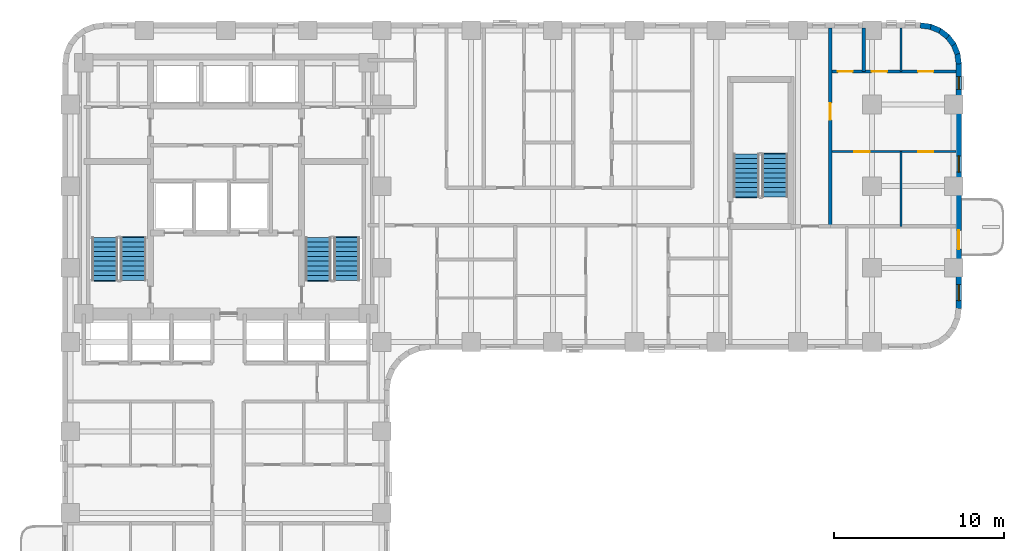
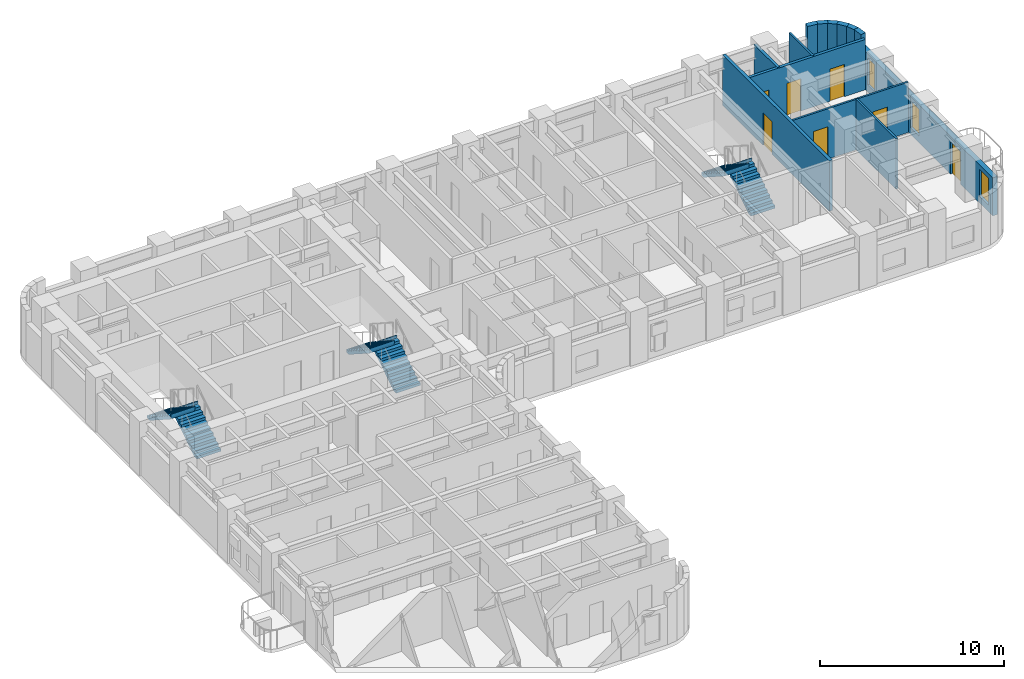
# One storey, part 8 of 10: 13 walls, 7 doors, 6 stair flights, 3 windows, 10 openings, 3 elements without a shape of their own.
"""IFC4 building model written with IfcOpenShell, lengths in metres."""

from ifc_helpers import new_model, si_unit, direction, frame, frame_2d, origin, place, context, subcontext, project, spatial, polyline, rectangle, outline, extrude, material, layer, layer_set, type_object, element, fill, aggregate, save


model = new_model("IFC4")

# Units and contexts
model_context = context("Model", 3, precision=1e-05, world=origin(), true_north=direction((0.0, 1.0)))
body_context = subcontext(model_context, "Body", "Model", "MODEL_VIEW")
ifc_project = project(units=[si_unit("LENGTHUNIT", "METRE"), si_unit("AREAUNIT", "SQUARE_METRE"), si_unit("VOLUMEUNIT", "CUBIC_METRE"), si_unit("PLANEANGLEUNIT", "RADIAN"), si_unit("MASSUNIT", "GRAM", prefix="KILO")], contexts=[model_context])

# Site, building, storey
site_placement = place(None, origin())
site = spatial("IfcSite", under=ifc_project, at=site_placement, CompositionType="ELEMENT")
building_placement = place(site_placement, origin())
building = spatial("IfcBuilding", under=site, at=building_placement, Name="Orvandelia Arch Residences", CompositionType="ELEMENT")
storey_placement = place(building_placement, frame((0.0, 0.0, 32.199951171875)))
storey = spatial("IfcBuildingStorey", under=building, at=storey_placement, Name="L07", CompositionType="ELEMENT", Elevation=32.199951171875)

# Wall, opening, door
ifc_material_1 = material(Name="Fire-Rated Corridor Partition")
ifc_layer_1 = layer(ifc_material_1, 0.199951171875, Name="Fire-Rated Corridor Partition")
ifc_layer_set_1 = layer_set([ifc_layer_1], Name="Fire-Rated Corridor Partition")
wall_type_1 = type_object("IfcWallType", Name="WL-CORR-200", PredefinedType="PARTITIONING", material=ifc_layer_set_1)
wall_1_placement = place(storey_placement, frame((49.89990234375, 36.0400390625, 0.0), z_axis=(0.0, 0.0, 1.0), x_axis=(0.0, 1.0, 0.0)))
wall_1 = element("IfcWall", 1, at=wall_1_placement, inside=storey, type_object=wall_type_1, Name="Interior Partition Wall WL-L07-ETE-E", PredefinedType="PARTITIONING", context=body_context, shape_type="SweptSolid", body=[
    extrude(rectangle(XDim=11.639892578125, YDim=0.199951171875, at=frame_2d((5.81982421875, 0.0))), origin(), (0.0, 0.0, 1.0), 3.35009765625),
])
opening_1_placement = place(wall_1_placement, frame((6.25146484375, 0.0, 0.0)))
opening_1 = element("IfcOpeningElement", 2, at=opening_1_placement, cuts=wall_1, Name="Opening D1", PredefinedType="OPENING", context=body_context, shape_type="SweptSolid", body=[
    extrude(rectangle(XDim=0.97998046875, YDim=2.179931640625, at=frame_2d((0.489990234375, 1.08984375))), frame((0.0, 0.10986328125, 0.0), z_axis=(0.0, -1.0, 0.0), x_axis=(1.0, 0.0, 0.0)), (0.0, 0.0, 1.0), 0.219970703125),
])
ifc_material_2 = material(Name="Solid-Core Timber Acoustic Fire Door", Category="wood")
door_type_1 = type_object("IfcDoorType", Name="DR-ENT-980", OperationType="NOTDEFINED", PredefinedType="DOOR", material=ifc_material_2)
door_1_placement = place(opening_1_placement, origin())
door_1 = element("IfcDoor", 3, at=door_1_placement, inside=storey, type_object=door_type_1, Name="Unit L07-11 Entrance Door", OperationType="SINGLE_SWING_LEFT", OverallHeight=2.179931640625, OverallWidth=0.97998046875, PredefinedType="DOOR", context=body_context, shape_type="SweptSolid", body=[
    extrude(rectangle(XDim=0.97998046875, YDim=2.179931640625, at=frame_2d((0.489990234375, 1.08984375))), frame((0.0, 0.02490234375, 0.0), z_axis=(0.0, -1.0, 0.0), x_axis=(1.0, 0.0, 0.0)), (0.0, 0.0, 1.0), 0.050048828125),
])
fill(opening_1, door_1)

# Walls
ifc_material_3 = material(Name="Precast concrete C40/50", Category="concrete")
ifc_layer_2 = layer(ifc_material_3, 0.320068359375, Name="Precast concrete C40/50", Category="concrete")
ifc_layer_set_2 = layer_set([ifc_layer_2], Name="Precast concrete C40/50")
wall_type_2 = type_object("IfcWallType", Name="WL-EXT-STONE-320", PredefinedType="STANDARD", material=ifc_layer_set_2)
for number, where, z_axis, x_axis, name in (
    (4, (55.17919921875, 47.84130859375, 0.0), (0.0, 0.0, 1.0), (0.9914410257, -0.130555323746, 0.0), "Coral-Limestone Precast Facade Wall L07-008"),
    (5, (55.760009765625, 47.7705078125, 0.0), (0.0, 0.0, 1.0), (0.92389335771, -0.382650053678, 0.0), "Coral-Limestone Precast Facade Wall L07-009"),
):
    element("IfcWall", number, at=place(storey_placement, frame(where, z_axis=z_axis, x_axis=x_axis)), inside=storey, type_object=wall_type_2, Name=name, PredefinedType="STANDARD", context=body_context, shape_type="SweptSolid", body=[
        extrude(rectangle(XDim=0.62646484375, YDim=0.320068359375, at=frame_2d((0.313232421875, 0.0))), origin(), (0.0, 0.0, 1.0), 3.35009765625),
    ])
wall_2_placement = place(storey_placement, frame((56.302490234375, 47.551513671875, 0.0), z_axis=(0.0, 0.0, 1.0), x_axis=(0.793549926411, -0.608505147302, 0.0)))
element("IfcWall", 6, at=wall_2_placement, inside=storey, type_object=wall_type_2, Name="Coral-Limestone Precast Facade Wall L07-010", PredefinedType="STANDARD", context=body_context, shape_type="SweptSolid", body=[
    extrude(rectangle(XDim=0.626708984375, YDim=0.320068359375, at=frame_2d((0.3134765625, 0.0))), origin(), (0.0, 0.0, 1.0), 3.35009765625),
])
for number, where, z_axis, x_axis, name in (
    (7, (56.770263671875, 47.19970703125, 0.0), (0.0, 0.0, 1.0), (0.608693302629, -0.793405610854, 0.0), "Coral-Limestone Precast Facade Wall L07-011"),
    (8, (57.130615234375, 46.73876953125, 0.0), (0.0, 0.0, 1.0), (0.382650053678, -0.92389335771, 0.0), "Coral-Limestone Precast Facade Wall L07-012"),
    (9, (57.359619140625, 46.2001953125, 0.0), (0.0, 0.0, 1.0), (0.130555323746, -0.9914410257, 0.0), "Coral-Limestone Precast Facade Wall L07-013"),
):
    element("IfcWall", number, at=place(storey_placement, frame(where, z_axis=z_axis, x_axis=x_axis)), inside=storey, type_object=wall_type_2, Name=name, PredefinedType="STANDARD", context=body_context, shape_type="SweptSolid", body=[
        extrude(rectangle(XDim=0.62646484375, YDim=0.320068359375, at=frame_2d((0.313232421875, 0.0))), origin(), (0.0, 0.0, 1.0), 3.35009765625),
    ])

# Wall, openings, door, windows
wall_3_placement = place(storey_placement, frame((57.43994140625, 45.60009765625, 0.0), z_axis=(0.0, 0.0, 1.0), x_axis=(0.0, -1.0, 0.0)))
wall_3 = element("IfcWall", 10, at=wall_3_placement, inside=storey, type_object=wall_type_2, Name="Coral-Limestone Precast Facade Wall L07-014", PredefinedType="STANDARD", context=body_context, shape_type="SweptSolid", body=[
    extrude(rectangle(XDim=14.400146484375, YDim=0.320068359375, at=frame_2d((7.2001953125, 0.0))), origin(), (0.0, 0.0, 1.0), 2.530029296875),
])
opening_2_placement = place(wall_3_placement, frame((9.800048828125, 0.0, 0.0)))
opening_2 = element("IfcOpeningElement", 11, at=opening_2_placement, cuts=wall_3, Name="Opening BD1", PredefinedType="OPENING", context=body_context, shape_type="SweptSolid", body=[
    extrude(rectangle(XDim=1.10009765625, YDim=2.14990234375, at=frame_2d((0.550048828125, 1.074951171875))), frame((0.0, 0.169921875, 0.0), z_axis=(0.0, -1.0, 0.0), x_axis=(1.0, 0.0, 0.0)), (0.0, 0.0, 1.0), 0.340087890625),
])
opening_3_placement = place(wall_3_placement, frame((5.427978515625, 0.0, 0.449951171875)))
opening_3 = element("IfcOpeningElement", 12, at=opening_3_placement, cuts=wall_3, Name="Opening W4", PredefinedType="OPENING", context=body_context, shape_type="SweptSolid", body=[
    extrude(rectangle(XDim=0.949951171875, YDim=1.800048828125, at=frame_2d((0.47509765625, 0.89990234375))), frame((0.0, 0.169921875, 0.0), z_axis=(0.0, -1.0, 0.0), x_axis=(1.0, 0.0, 0.0)), (0.0, 0.0, 1.0), 0.340087890625),
])
opening_4_placement = place(wall_3_placement, frame((12.97998046875, 0.0, 0.449951171875)))
opening_4 = element("IfcOpeningElement", 13, at=opening_4_placement, cuts=wall_3, Name="Opening W4", PredefinedType="OPENING", context=body_context, shape_type="SweptSolid", body=[
    extrude(rectangle(XDim=0.949951171875, YDim=1.800048828125, at=frame_2d((0.47509765625, 0.89990234375))), frame((0.0, 0.169921875, 0.0), z_axis=(0.0, -1.0, 0.0), x_axis=(1.0, 0.0, 0.0)), (0.0, 0.0, 1.0), 0.340087890625),
])
opening_5_placement = place(wall_3_placement, frame((0.7705078125, 0.0, 0.449951171875)))
opening_5 = element("IfcOpeningElement", 14, at=opening_5_placement, cuts=wall_3, Name="Opening W11", PredefinedType="OPENING", context=body_context, shape_type="SweptSolid", body=[
    extrude(rectangle(XDim=0.75, YDim=1.800048828125, at=frame_2d((0.375, 0.89990234375))), frame((0.0, 0.169921875, 0.0), z_axis=(0.0, -1.0, 0.0), x_axis=(1.0, 0.0, 0.0)), (0.0, 0.0, 1.0), 0.340087890625),
])
ifc_material_4 = material(Name="Thermally Broken Aluminium Glazed Door", Category="aluminium")
door_type_2 = type_object("IfcDoorType", Name="DR-BAL-GLAZ-1100", OperationType="NOTDEFINED", PredefinedType="DOOR", material=ifc_material_4)
door_2_placement = place(opening_2_placement, origin())
door_2 = element("IfcDoor", 15, at=door_2_placement, inside=storey, type_object=door_type_2, Name="Tree Balcony Glazed Door BAL-L07-E1", OperationType="SINGLE_SWING_LEFT", OverallHeight=2.14990234375, OverallWidth=1.10009765625, PredefinedType="DOOR", context=body_context, shape_type="SweptSolid", body=[
    extrude(rectangle(XDim=1.10009765625, YDim=2.14990234375, at=frame_2d((0.550048828125, 1.074951171875))), frame((0.0, 0.02490234375, 0.0), z_axis=(0.0, -1.0, 0.0), x_axis=(1.0, 0.0, 0.0)), (0.0, 0.0, 1.0), 0.050048828125),
])
fill(opening_2, door_2)
ifc_material_5 = material(Name="Tempered Low-E Insulated Glazing", Category="glass")
window_type_1 = type_object("IfcWindowType", Name="WIN-BED-0750x1800", PartitioningType="SINGLE_PANEL", PredefinedType="WINDOW", material=ifc_material_5)
window_1_placement = place(opening_5_placement, origin())
window_1 = element("IfcWindow", 16, at=window_1_placement, inside=storey, type_object=window_type_1, Name="Recessed Punched Window L07-015", OverallHeight=1.800048828125, OverallWidth=0.75, PartitioningType="SINGLE_PANEL", PredefinedType="WINDOW", context=body_context, shape_type="SweptSolid", body=[
    extrude(rectangle(XDim=0.75, YDim=1.800048828125, at=frame_2d((0.375, 0.89990234375))), frame((0.0, 0.030029296875, 0.0), z_axis=(0.0, -1.0, 0.0), x_axis=(1.0, 0.0, 0.0)), (0.0, 0.0, 1.0), 0.06005859375),
])
fill(opening_5, window_1)
window_type_2 = type_object("IfcWindowType", Name="WIN-RES-0950x1800", PartitioningType="SINGLE_PANEL", PredefinedType="WINDOW", material=ifc_material_5)
window_2_placement = place(opening_3_placement, origin())
window_2 = element("IfcWindow", 17, at=window_2_placement, inside=storey, type_object=window_type_2, Name="Recessed Punched Window L07-013", OverallHeight=1.800048828125, OverallWidth=0.949951171875, PartitioningType="SINGLE_PANEL", PredefinedType="WINDOW", context=body_context, shape_type="SweptSolid", body=[
    extrude(rectangle(XDim=0.949951171875, YDim=1.800048828125, at=frame_2d((0.47509765625, 0.89990234375))), frame((0.0, 0.030029296875, 0.0), z_axis=(0.0, -1.0, 0.0), x_axis=(1.0, 0.0, 0.0)), (0.0, 0.0, 1.0), 0.06005859375),
])
fill(opening_3, window_2)
window_3_placement = place(opening_4_placement, origin())
window_3 = element("IfcWindow", 18, at=window_3_placement, inside=storey, type_object=window_type_2, Name="Recessed Punched Window L07-014", OverallHeight=1.800048828125, OverallWidth=0.949951171875, PartitioningType="SINGLE_PANEL", PredefinedType="WINDOW", context=body_context, shape_type="SweptSolid", body=[
    extrude(rectangle(XDim=0.949951171875, YDim=1.800048828125, at=frame_2d((0.47509765625, 0.89990234375))), frame((0.0, 0.030029296875, 0.0), z_axis=(0.0, -1.0, 0.0), x_axis=(1.0, 0.0, 0.0)), (0.0, 0.0, 1.0), 0.06005859375),
])
fill(opening_4, window_3)

# Wall, openings, doors
ifc_material_6 = material(Name="Lightweight Gypsum Stud Partition")
ifc_layer_3 = layer(ifc_material_6, 0.1201171875, Name="Lightweight Gypsum Stud Partition")
ifc_layer_set_3 = layer_set([ifc_layer_3], Name="Lightweight Gypsum Stud Partition")
wall_type_3 = type_object("IfcWallType", Name="WL-PART-120", PredefinedType="PARTITIONING", material=ifc_layer_set_3)
wall_4_placement = place(storey_placement, frame((50.0, 40.424072265625, 0.0), z_axis=(0.0, 0.0, 1.0), x_axis=(1.0, 0.0, 0.0)))
wall_4 = element("IfcWall", 19, at=wall_4_placement, inside=storey, type_object=wall_type_3, Name="Interior Partition Wall WL-L07-U11-HB", PredefinedType="PARTITIONING", context=body_context, shape_type="SweptSolid", body=[
    extrude(rectangle(XDim=7.280029296875, YDim=0.1201171875, at=frame_2d((3.64013671875, 0.0))), origin(), (0.0, 0.0, 1.0), 3.35009765625),
])
opening_6_placement = place(wall_4_placement, frame((1.30419921875, 0.0, 0.0)))
opening_6 = element("IfcOpeningElement", 20, at=opening_6_placement, cuts=wall_4, Name="Opening D3", PredefinedType="OPENING", context=body_context, shape_type="SweptSolid", body=[
    extrude(rectangle(XDim=0.89990234375, YDim=2.14990234375, at=frame_2d((0.449951171875, 1.074951171875))), frame((0.0, 0.070068359375, 0.0), z_axis=(0.0, -1.0, 0.0), x_axis=(1.0, 0.0, 0.0)), (0.0, 0.0, 1.0), 0.14013671875),
])
opening_7_placement = place(wall_4_placement, frame((5.056884765625, 0.0, 0.0)))
opening_7 = element("IfcOpeningElement", 21, at=opening_7_placement, cuts=wall_4, Name="Opening D3", PredefinedType="OPENING", context=body_context, shape_type="SweptSolid", body=[
    extrude(rectangle(XDim=0.89990234375, YDim=2.14990234375, at=frame_2d((0.449951171875, 1.074951171875))), frame((0.0, 0.070068359375, 0.0), z_axis=(0.0, -1.0, 0.0), x_axis=(1.0, 0.0, 0.0)), (0.0, 0.0, 1.0), 0.14013671875),
])
ifc_material_7 = material(Name="Engineered Timber Flush Door", Category="wood")
door_type_3 = type_object("IfcDoorType", Name="DR-INT-900", OperationType="NOTDEFINED", PredefinedType="DOOR", material=ifc_material_7)
door_3_placement = place(opening_6_placement, origin())
door_3 = element("IfcDoor", 22, at=door_3_placement, inside=storey, type_object=door_type_3, Name="DR-L07-U11-STDY", OperationType="SINGLE_SWING_LEFT", OverallHeight=2.14990234375, OverallWidth=0.89990234375, PredefinedType="DOOR", context=body_context, shape_type="SweptSolid", body=[
    extrude(rectangle(XDim=0.89990234375, YDim=2.14990234375, at=frame_2d((0.449951171875, 1.074951171875))), frame((0.0, 0.02490234375, 0.0), z_axis=(0.0, -1.0, 0.0), x_axis=(1.0, 0.0, 0.0)), (0.0, 0.0, 1.0), 0.050048828125),
])
fill(opening_6, door_3)
door_4_placement = place(opening_7_placement, origin())
door_4 = element("IfcDoor", 23, at=door_4_placement, inside=storey, type_object=door_type_3, Name="DR-L07-U11-BD2", OperationType="SINGLE_SWING_RIGHT", OverallHeight=2.14990234375, OverallWidth=0.89990234375, PredefinedType="DOOR", context=body_context, shape_type="SweptSolid", body=[
    extrude(rectangle(XDim=0.89990234375, YDim=2.14990234375, at=frame_2d((0.449951171875, 1.074951171875))), frame((0.0, 0.02490234375, 0.0), z_axis=(0.0, -1.0, 0.0), x_axis=(1.0, 0.0, 0.0)), (0.0, 0.0, 1.0), 0.050048828125),
])
fill(opening_7, door_4)

# Walls
wall_5_placement = place(storey_placement, frame((54.048095703125, 36.0400390625, 0.0), z_axis=(0.0, 0.0, 1.0), x_axis=(0.0, 1.0, 0.0)))
element("IfcWall", 24, at=wall_5_placement, inside=storey, type_object=wall_type_3, Name="Interior Partition Wall WL-L07-U11-VB", PredefinedType="PARTITIONING", context=body_context, shape_type="SweptSolid", body=[
    extrude(rectangle(XDim=4.384033203125, YDim=0.1201171875, at=frame_2d((2.19189453125, 0.0))), origin(), (0.0, 0.0, 1.0), 3.35009765625),
])
wall_6_placement = place(storey_placement, frame((54.048095703125, 45.138916015625, 0.0), z_axis=(0.0, 0.0, 1.0), x_axis=(0.0, 1.0, 0.0)))
element("IfcWall", 25, at=wall_6_placement, inside=storey, type_object=wall_type_3, Name="Interior Partition Wall WL-L07-U11-V2", PredefinedType="PARTITIONING", context=body_context, shape_type="SweptSolid", body=[
    extrude(rectangle(XDim=2.541015625, YDim=0.1201171875, at=frame_2d((1.2705078125, 0.0))), origin(), (0.0, 0.0, 1.0), 3.35009765625),
])

# Wall, openings, doors
ifc_material_8 = material(Name="Moisture-Resistant Plumbing Wall")
ifc_layer_4 = layer(ifc_material_8, 0.179931640625, Name="Moisture-Resistant Plumbing Wall")
ifc_layer_set_4 = layer_set([ifc_layer_4], Name="Moisture-Resistant Plumbing Wall")
wall_type_4 = type_object("IfcWallType", Name="WL-WET-180", PredefinedType="PLUMBINGWALL", material=ifc_layer_set_4)
wall_7_placement = place(storey_placement, frame((50.0, 45.138916015625, 0.0), z_axis=(0.0, 0.0, 1.0), x_axis=(1.0, 0.0, 0.0)))
wall_7 = element("IfcWall", 26, at=wall_7_placement, inside=storey, type_object=wall_type_4, Name="Interior Partition Wall WL-L07-U11-HZ", PredefinedType="PLUMBINGWALL", context=body_context, shape_type="SweptSolid", body=[
    extrude(rectangle(XDim=7.280029296875, YDim=0.179931640625, at=frame_2d((3.64013671875, 0.0))), origin(), (0.0, 0.0, 1.0), 3.35009765625),
])
opening_8_placement = place(wall_7_placement, frame((0.343017578125, 0.0, 0.0)))
opening_8 = element("IfcOpeningElement", 27, at=opening_8_placement, cuts=wall_7, Name="Opening D4", PredefinedType="OPENING", context=body_context, shape_type="SweptSolid", body=[
    extrude(rectangle(XDim=0.860107421875, YDim=2.10009765625, at=frame_2d((0.43017578125, 1.050048828125))), frame((0.0, 0.10009765625, 0.0), z_axis=(0.0, -1.0, 0.0), x_axis=(1.0, 0.0, 0.0)), (0.0, 0.0, 1.0), 0.199951171875),
])
opening_9_placement = place(wall_7_placement, frame((2.328125, 0.0, 0.0)))
opening_9 = element("IfcOpeningElement", 28, at=opening_9_placement, cuts=wall_7, Name="Opening D3", PredefinedType="OPENING", context=body_context, shape_type="SweptSolid", body=[
    extrude(rectangle(XDim=0.89990234375, YDim=2.14990234375, at=frame_2d((0.449951171875, 1.074951171875))), frame((0.0, 0.10009765625, 0.0), z_axis=(0.0, -1.0, 0.0), x_axis=(1.0, 0.0, 0.0)), (0.0, 0.0, 1.0), 0.199951171875),
])
opening_10_placement = place(wall_7_placement, frame((5.056884765625, 0.0, 0.0)))
opening_10 = element("IfcOpeningElement", 29, at=opening_10_placement, cuts=wall_7, Name="Opening D3", PredefinedType="OPENING", context=body_context, shape_type="SweptSolid", body=[
    extrude(rectangle(XDim=0.89990234375, YDim=2.14990234375, at=frame_2d((0.449951171875, 1.074951171875))), frame((0.0, 0.10009765625, 0.0), z_axis=(0.0, -1.0, 0.0), x_axis=(1.0, 0.0, 0.0)), (0.0, 0.0, 1.0), 0.199951171875),
])
door_5_placement = place(opening_9_placement, origin())
door_5 = element("IfcDoor", 30, at=door_5_placement, inside=storey, type_object=door_type_3, Name="DR-L07-U11-KIT", OperationType="SINGLE_SWING_LEFT", OverallHeight=2.14990234375, OverallWidth=0.89990234375, PredefinedType="DOOR", context=body_context, shape_type="SweptSolid", body=[
    extrude(rectangle(XDim=0.89990234375, YDim=2.14990234375, at=frame_2d((0.449951171875, 1.074951171875))), frame((0.0, 0.02490234375, 0.0), z_axis=(0.0, -1.0, 0.0), x_axis=(1.0, 0.0, 0.0)), (0.0, 0.0, 1.0), 0.050048828125),
])
fill(opening_9, door_5)
door_6_placement = place(opening_10_placement, origin())
door_6 = element("IfcDoor", 31, at=door_6_placement, inside=storey, type_object=door_type_3, Name="DR-L07-U11-BD1", OperationType="SINGLE_SWING_RIGHT", OverallHeight=2.14990234375, OverallWidth=0.89990234375, PredefinedType="DOOR", context=body_context, shape_type="SweptSolid", body=[
    extrude(rectangle(XDim=0.89990234375, YDim=2.14990234375, at=frame_2d((0.449951171875, 1.074951171875))), frame((0.0, 0.02490234375, 0.0), z_axis=(0.0, -1.0, 0.0), x_axis=(1.0, 0.0, 0.0)), (0.0, 0.0, 1.0), 0.050048828125),
])
fill(opening_10, door_6)
ifc_material_9 = material(Name="Moisture-Sealed Timber Bathroom Door", Category="wood")
door_type_4 = type_object("IfcDoorType", Name="DR-WET-900", OperationType="NOTDEFINED", PredefinedType="DOOR", material=ifc_material_9)
door_7_placement = place(opening_8_placement, origin())
door_7 = element("IfcDoor", 32, at=door_7_placement, inside=storey, type_object=door_type_4, Name="DR-L07-U11-BTH", OperationType="SINGLE_SWING_RIGHT", OverallHeight=2.10009765625, OverallWidth=0.860107421875, PredefinedType="DOOR", context=body_context, shape_type="SweptSolid", body=[
    extrude(rectangle(XDim=0.860107421875, YDim=2.10009765625, at=frame_2d((0.43017578125, 1.050048828125))), frame((0.0, 0.02490234375, 0.0), z_axis=(0.0, -1.0, 0.0), x_axis=(1.0, 0.0, 0.0)), (0.0, 0.0, 1.0), 0.050048828125),
])
fill(opening_8, door_7)

# Wall
wall_8_placement = place(storey_placement, frame((51.862060546875, 45.138916015625, 0.0), z_axis=(0.0, 0.0, 1.0), x_axis=(0.0, 1.0, 0.0)))
element("IfcWall", 33, at=wall_8_placement, inside=storey, type_object=wall_type_4, Name="Interior Partition Wall WL-L07-U11-V1", PredefinedType="PLUMBINGWALL", context=body_context, shape_type="SweptSolid", body=[
    extrude(rectangle(XDim=2.541015625, YDim=0.179931640625, at=frame_2d((1.2705078125, 0.0))), origin(), (0.0, 0.0, 1.0), 3.35009765625),
])

# Stair, stair flights
ifc_material_10 = material(Name="Concrete C40/50", Category="concrete")
stair_type = type_object("IfcStairType", Name="STAIR-RC-DOGLEG", PredefinedType="HALF_TURN_STAIR", material=ifc_material_10)
stair_1_placement = place(storey_placement, origin())
stair_1 = element("IfcStair", 34, at=stair_1_placement, inside=storey, type_object=stair_type, Name="L07 Protected Exit Stair ST-1", PredefinedType="HALF_TURN_STAIR")
stair_flight_type = type_object("IfcStairFlightType", Name="STFLT-RC-1520", PredefinedType="STRAIGHT", material=ifc_material_10)
stair_flight_1_placement = place(storey_placement, frame((8.9599609375, 32.8701171875, 0.0), z_axis=(0.0, 0.0, 1.0), x_axis=(0.0, 1.0, 0.0)))
stair_flight_1 = element("IfcStairFlight", 35, at=stair_flight_1_placement, type_object=stair_flight_type, Name="ST-1 flight 1", NumberOfRisers=10, NumberOfTreads=9, PredefinedType="STRAIGHT", RiserHeight=0.18, TreadLength=0.28, context=body_context, shape_type="SweptSolid", body=[
    extrude(outline(polyline([(0.0, 0.0), (0.0, 0.179931640625), (0.280029296875, 0.179931640625), (0.280029296875, 0.360107421875), (0.56005859375, 0.360107421875), (0.56005859375, 0.5400390625), (0.840087890625, 0.5400390625), (0.840087890625, 0.719970703125), (1.1201171875, 0.719970703125), (1.1201171875, 0.89990234375), (1.39990234375, 0.89990234375), (1.39990234375, 1.080078125), (1.679931640625, 1.080078125), (1.679931640625, 1.260009765625), (1.9599609375, 1.260009765625), (1.9599609375, 1.43994140625), (2.239990234375, 1.43994140625), (2.239990234375, 1.6201171875), (2.52001953125, 1.6201171875), (2.52001953125, 1.800048828125), (2.580078125, 1.800048828125), (2.580078125, 1.6201171875), (2.52001953125, 1.44189453125), (0.277099609375, 0.0), (0.0, 0.0)])), frame((0.0, 0.760009765625, 0.0), z_axis=(0.0, -1.0, 0.0), x_axis=(1.0, 0.0, 0.0)), (0.0, 0.0, 1.0), 1.52001953125),
])
stair_flight_2_placement = place(storey_placement, frame((7.2900390625, 35.389892578125, 1.800048828125), z_axis=(0.0, 0.0, 1.0), x_axis=(0.0, -1.0, 0.0)))
stair_flight_2 = element("IfcStairFlight", 36, at=stair_flight_2_placement, type_object=stair_flight_type, Name="ST-1 flight 2", NumberOfRisers=10, NumberOfTreads=9, PredefinedType="STRAIGHT", RiserHeight=0.18, TreadLength=0.28, context=body_context, shape_type="SweptSolid", body=[
    extrude(outline(polyline([(0.0, 0.0), (0.0, 0.179931640625), (0.280029296875, 0.179931640625), (0.280029296875, 0.360107421875), (0.56005859375, 0.360107421875), (0.56005859375, 0.5400390625), (0.840087890625, 0.5400390625), (0.840087890625, 0.719970703125), (1.1201171875, 0.719970703125), (1.1201171875, 0.89990234375), (1.39990234375, 0.89990234375), (1.39990234375, 1.080078125), (1.679931640625, 1.080078125), (1.679931640625, 1.260009765625), (1.9599609375, 1.260009765625), (1.9599609375, 1.43994140625), (2.239990234375, 1.43994140625), (2.239990234375, 1.6201171875), (2.52001953125, 1.6201171875), (2.52001953125, 1.800048828125), (2.580078125, 1.800048828125), (2.580078125, 1.6201171875), (2.52001953125, 1.44189453125), (0.277099609375, 0.0), (0.0, 0.0)])), frame((0.0, 0.760009765625, 0.0), z_axis=(0.0, -1.0, 0.0), x_axis=(1.0, 0.0, 0.0)), (0.0, 0.0, 1.0), 1.52001953125),
])
aggregate(stair_1, [stair_flight_1, stair_flight_2])

stair_2_placement = place(storey_placement, origin())
stair_2 = element("IfcStair", 37, at=stair_2_placement, inside=storey, type_object=stair_type, Name="L07 Protected Exit Stair ST-2", PredefinedType="HALF_TURN_STAIR")
stair_flight_3_placement = place(storey_placement, frame((21.489990234375, 32.8701171875, 0.0), z_axis=(0.0, 0.0, 1.0), x_axis=(0.0, 1.0, 0.0)))
stair_flight_3 = element("IfcStairFlight", 38, at=stair_flight_3_placement, type_object=stair_flight_type, Name="ST-2 flight 1", NumberOfRisers=10, NumberOfTreads=9, PredefinedType="STRAIGHT", RiserHeight=0.18, TreadLength=0.28, context=body_context, shape_type="SweptSolid", body=[
    extrude(outline(polyline([(0.0, 0.0), (0.0, 0.179931640625), (0.280029296875, 0.179931640625), (0.280029296875, 0.360107421875), (0.56005859375, 0.360107421875), (0.56005859375, 0.5400390625), (0.840087890625, 0.5400390625), (0.840087890625, 0.719970703125), (1.1201171875, 0.719970703125), (1.1201171875, 0.89990234375), (1.39990234375, 0.89990234375), (1.39990234375, 1.080078125), (1.679931640625, 1.080078125), (1.679931640625, 1.260009765625), (1.9599609375, 1.260009765625), (1.9599609375, 1.43994140625), (2.239990234375, 1.43994140625), (2.239990234375, 1.6201171875), (2.52001953125, 1.6201171875), (2.52001953125, 1.800048828125), (2.580078125, 1.800048828125), (2.580078125, 1.6201171875), (2.52001953125, 1.44189453125), (0.277099609375, 0.0), (0.0, 0.0)])), frame((0.0, 0.760009765625, 0.0), z_axis=(0.0, -1.0, 0.0), x_axis=(1.0, 0.0, 0.0)), (0.0, 0.0, 1.0), 1.52001953125),
])
stair_flight_4_placement = place(storey_placement, frame((19.820068359375, 35.389892578125, 1.800048828125), z_axis=(0.0, 0.0, 1.0), x_axis=(0.0, -1.0, 0.0)))
stair_flight_4 = element("IfcStairFlight", 39, at=stair_flight_4_placement, type_object=stair_flight_type, Name="ST-2 flight 2", NumberOfRisers=10, NumberOfTreads=9, PredefinedType="STRAIGHT", RiserHeight=0.18, TreadLength=0.28, context=body_context, shape_type="SweptSolid", body=[
    extrude(outline(polyline([(0.0, 0.0), (0.0, 0.179931640625), (0.280029296875, 0.179931640625), (0.280029296875, 0.360107421875), (0.56005859375, 0.360107421875), (0.56005859375, 0.5400390625), (0.840087890625, 0.5400390625), (0.840087890625, 0.719970703125), (1.1201171875, 0.719970703125), (1.1201171875, 0.89990234375), (1.39990234375, 0.89990234375), (1.39990234375, 1.080078125), (1.679931640625, 1.080078125), (1.679931640625, 1.260009765625), (1.9599609375, 1.260009765625), (1.9599609375, 1.43994140625), (2.239990234375, 1.43994140625), (2.239990234375, 1.6201171875), (2.52001953125, 1.6201171875), (2.52001953125, 1.800048828125), (2.580078125, 1.800048828125), (2.580078125, 1.6201171875), (2.52001953125, 1.44189453125), (0.277099609375, 0.0), (0.0, 0.0)])), frame((0.0, 0.760009765625, 0.0), z_axis=(0.0, -1.0, 0.0), x_axis=(1.0, 0.0, 0.0)), (0.0, 0.0, 1.0), 1.52001953125),
])
aggregate(stair_2, [stair_flight_3, stair_flight_4])

stair_3_placement = place(storey_placement, origin())
stair_3 = element("IfcStair", 40, at=stair_3_placement, inside=storey, type_object=stair_type, Name="L07 East Wing Exit Stair ST-3", PredefinedType="HALF_TURN_STAIR")
stair_flight_5_placement = place(storey_placement, frame((46.639892578125, 37.77001953125, 0.0), z_axis=(0.0, 0.0, 1.0), x_axis=(0.0, 1.0, 0.0)))
stair_flight_5 = element("IfcStairFlight", 41, at=stair_flight_5_placement, type_object=stair_flight_type, Name="ST-3 flight 1", NumberOfRisers=10, NumberOfTreads=9, PredefinedType="STRAIGHT", RiserHeight=0.18, TreadLength=0.28, context=body_context, shape_type="SweptSolid", body=[
    extrude(outline(polyline([(0.0, 0.0), (0.0, 0.179931640625), (0.280029296875, 0.179931640625), (0.280029296875, 0.360107421875), (0.56005859375, 0.360107421875), (0.56005859375, 0.5400390625), (0.840087890625, 0.5400390625), (0.840087890625, 0.719970703125), (1.1201171875, 0.719970703125), (1.1201171875, 0.89990234375), (1.39990234375, 0.89990234375), (1.39990234375, 1.080078125), (1.679931640625, 1.080078125), (1.679931640625, 1.260009765625), (1.9599609375, 1.260009765625), (1.9599609375, 1.43994140625), (2.239990234375, 1.43994140625), (2.239990234375, 1.6201171875), (2.52001953125, 1.6201171875), (2.52001953125, 1.800048828125), (2.580078125, 1.800048828125), (2.580078125, 1.6201171875), (2.52001953125, 1.44189453125), (0.277099609375, 0.0), (0.0, 0.0)])), frame((0.0, 0.760009765625, 0.0), z_axis=(0.0, -1.0, 0.0), x_axis=(1.0, 0.0, 0.0)), (0.0, 0.0, 1.0), 1.52001953125),
])
stair_flight_6_placement = place(storey_placement, frame((44.969970703125, 40.2900390625, 1.800048828125), z_axis=(0.0, 0.0, 1.0), x_axis=(0.0, -1.0, 0.0)))
stair_flight_6 = element("IfcStairFlight", 42, at=stair_flight_6_placement, type_object=stair_flight_type, Name="ST-3 flight 2", NumberOfRisers=10, NumberOfTreads=9, PredefinedType="STRAIGHT", RiserHeight=0.18, TreadLength=0.28, context=body_context, shape_type="SweptSolid", body=[
    extrude(outline(polyline([(0.0, 0.0), (0.0, 0.179931640625), (0.280029296875, 0.179931640625), (0.280029296875, 0.360107421875), (0.56005859375, 0.360107421875), (0.56005859375, 0.5400390625), (0.840087890625, 0.5400390625), (0.840087890625, 0.719970703125), (1.1201171875, 0.719970703125), (1.1201171875, 0.89990234375), (1.39990234375, 0.89990234375), (1.39990234375, 1.080078125), (1.679931640625, 1.080078125), (1.679931640625, 1.260009765625), (1.9599609375, 1.260009765625), (1.9599609375, 1.43994140625), (2.239990234375, 1.43994140625), (2.239990234375, 1.6201171875), (2.52001953125, 1.6201171875), (2.52001953125, 1.800048828125), (2.580078125, 1.800048828125), (2.580078125, 1.6201171875), (2.52001953125, 1.44189453125), (0.277099609375, 0.0), (0.0, 0.0)])), frame((0.0, 0.760009765625, 0.0), z_axis=(0.0, -1.0, 0.0), x_axis=(1.0, 0.0, 0.0)), (0.0, 0.0, 1.0), 1.52001953125),
])
aggregate(stair_3, [stair_flight_5, stair_flight_6])

save(model, "model.ifc")
